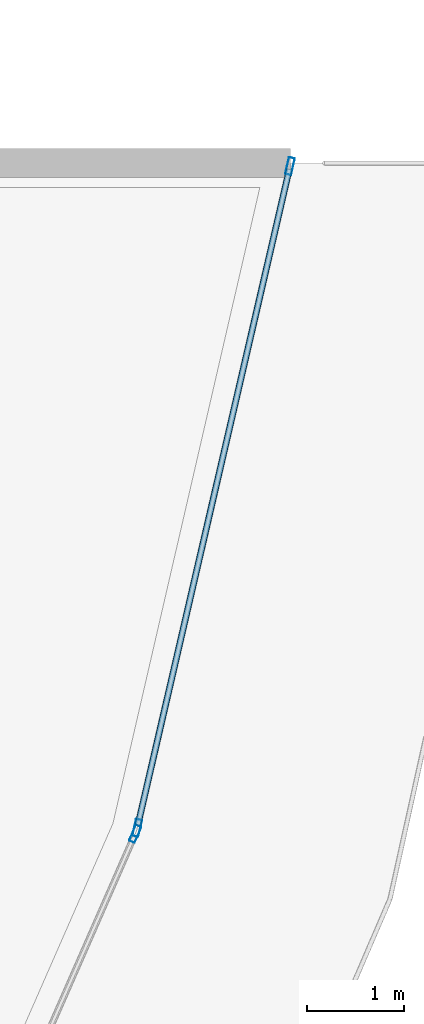
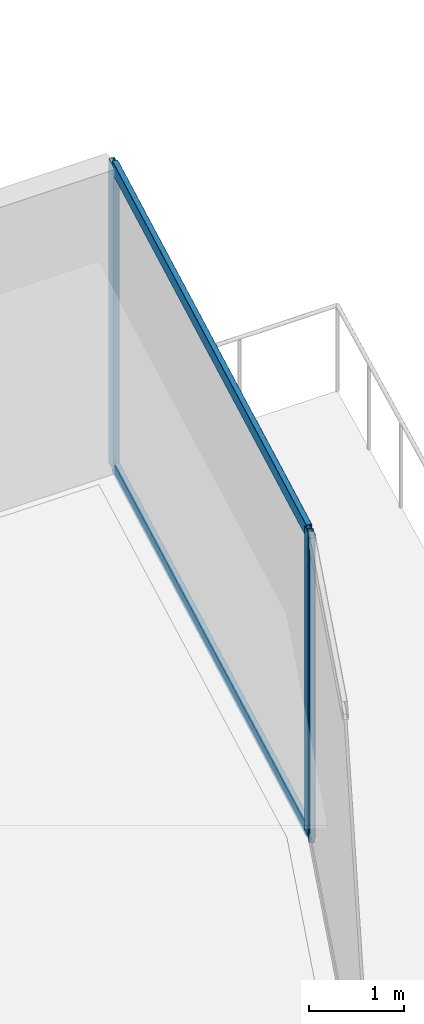
# One storey, part 26 of 45: 5 members, 2 elements without a shape of their own.
"""IFC4 building model written with IfcOpenShell, lengths in metres."""

from ifc_helpers import new_model, si_unit, direction, frame, origin, origin_2d, place, context, subcontext, project, spatial, hollow_rectangle, extrude, material, layer, layer_set, material_profile, profile_set, type_object, element, aggregate, save


model = new_model("IFC4")

# Units and contexts
model_context = context("Model", 3, precision=1e-05, world=origin(), true_north=direction((0.0, 1.0)))
body_context = subcontext(model_context, "Body", "Model", "MODEL_VIEW")
ifc_project = project(units=[si_unit("LENGTHUNIT", "METRE"), si_unit("AREAUNIT", "SQUARE_METRE"), si_unit("VOLUMEUNIT", "CUBIC_METRE"), si_unit("PLANEANGLEUNIT", "RADIAN"), si_unit("MASSUNIT", "GRAM", prefix="KILO")], contexts=[model_context])

# Site, building, storey
site_placement = place(None, origin())
site = spatial("IfcSite", under=ifc_project, at=site_placement, CompositionType="ELEMENT")
building_placement = place(site_placement, origin())
building = spatial("IfcBuilding", under=site, at=building_placement, Name="Qorvath Tower", CompositionType="ELEMENT")
storey_placement = place(building_placement, frame((0.0, 0.0, 95.39990234375)))
storey = spatial("IfcBuildingStorey", under=building, at=storey_placement, Name="L21", CompositionType="ELEMENT", Elevation=95.39990234375)

# Curtain wall, member
ifc_material_1 = material(Name="Anodised aluminium and triple low-E glass", Category="aluminium")
ifc_layer = layer(ifc_material_1, 0.179931640625)
ifc_layer_set = layer_set([ifc_layer], Name="CW-SYS-2")
curtain_wall_type = type_object("IfcCurtainWallType", Name="CW-SYS-2", PredefinedType="NOTDEFINED", material=ifc_layer_set)
curtain_wall_1_placement = place(storey_placement, origin())
curtain_wall_1 = element("IfcCurtainWall", 1, at=curtain_wall_1_placement, inside=storey, type_object=curtain_wall_type, Name="Curtain Wall CW-2 CW-T-L21-6.1", PredefinedType="NOTDEFINED")
ifc_material_2 = material(Name="Anodised aluminium 6063-T6", Category="aluminium")
ifc_material_profile_1 = material_profile(ifc_material_2, hollow_rectangle(XDim=0.06494140625, YDim=0.179931640625, WallThickness=0.00341796875, InnerFilletRadius=0.00341796875, OuterFilletRadius=0.007080078125, at=origin_2d()), Name="CWM 180x65")
ifc_profile_set_1 = profile_set([ifc_material_profile_1], Name="Anodised aluminium 6063-T6")
member_type_1 = type_object("IfcMemberType", Name="CWM-180", PredefinedType="MULLION", material=ifc_profile_set_1)
member_1_placement = place(storey_placement, frame((3.9599609375, -12.045166015625, 0.0), z_axis=(0.0, 0.0, 1.0), x_axis=(-0.915869083062, 0.401477051262, 0.0)))
member_1 = element("IfcMember", 2, at=member_1_placement, type_object=member_type_1, Name="CW-2 mullion 2", PredefinedType="MULLION", context=body_context, shape_type="SweptSolid", body=[
    extrude(hollow_rectangle(XDim=0.06494140625, YDim=0.179931640625, WallThickness=0.00341796875, InnerFilletRadius=0.00341796875, OuterFilletRadius=0.007080078125, at=origin_2d()), origin(), (0.0, 0.0, 1.0), 3.900146484375),
])
aggregate(curtain_wall_1, [member_1])

# Curtain wall, members
curtain_wall_2_placement = place(storey_placement, origin())
curtain_wall_2 = element("IfcCurtainWall", 3, at=curtain_wall_2_placement, inside=storey, type_object=curtain_wall_type, Name="Curtain Wall CW-2 CW-T-L21-7.1", PredefinedType="NOTDEFINED")
member_2_placement = place(storey_placement, frame((3.98046875, -11.983642578125, 0.0), z_axis=(0.0, 0.0, 1.0), x_axis=(-0.974350824402, 0.225034377346, 0.0)))
member_2 = element("IfcMember", 4, at=member_2_placement, type_object=member_type_1, Name="CW-2 mullion 1", PredefinedType="MULLION", context=body_context, shape_type="SweptSolid", body=[
    extrude(hollow_rectangle(XDim=0.06494140625, YDim=0.179931640625, WallThickness=0.00341796875, InnerFilletRadius=0.00341796875, OuterFilletRadius=0.007080078125, at=origin_2d()), origin(), (0.0, 0.0, 1.0), 3.900146484375),
])
member_3_placement = place(storey_placement, frame((5.5634765625, -5.12939453125, 0.0), z_axis=(0.0, 0.0, 1.0), x_axis=(-0.974350824402, 0.225034377346, 0.0)))
member_3 = element("IfcMember", 5, at=member_3_placement, type_object=member_type_1, Name="CW-2 mullion 2", PredefinedType="MULLION", context=body_context, shape_type="SweptSolid", body=[
    extrude(hollow_rectangle(XDim=0.06494140625, YDim=0.179931640625, WallThickness=0.00341796875, InnerFilletRadius=0.00341796875, OuterFilletRadius=0.007080078125, at=origin_2d()), origin(), (0.0, 0.0, 1.0), 3.900146484375),
])
ifc_material_3 = material(Name="Anodised aluminium 6063-T6", Category="aluminium")
ifc_material_profile_2 = material_profile(ifc_material_3, hollow_rectangle(XDim=0.06494140625, YDim=0.159912109375, WallThickness=0.00341796875, InnerFilletRadius=0.00341796875, OuterFilletRadius=0.007080078125, at=origin_2d()), Name="CWT 160x65")
ifc_profile_set_2 = profile_set([ifc_material_profile_2], Name="Anodised aluminium 6063-T6")
member_type_2 = type_object("IfcMemberType", Name="CWT-160", PredefinedType="USERDEFINED", material=ifc_profile_set_2)
member_4_placement = place(storey_placement, frame((3.98779296875, -11.9521484375, 0.032470703125), z_axis=(0.225023232351, 0.974353398363, 0.0), x_axis=(-0.974353398363, 0.225023232351, 0.0)))
member_4 = element("IfcMember", 6, at=member_4_placement, type_object=member_type_2, Name="CW-2 transom 1.1", ObjectType="TRANSOM", PredefinedType="USERDEFINED", context=body_context, shape_type="SweptSolid", body=[
    extrude(hollow_rectangle(XDim=0.06494140625, YDim=0.159912109375, WallThickness=0.00341796875, InnerFilletRadius=0.00341796875, OuterFilletRadius=0.007080078125, at=origin_2d()), origin(), (0.0, 0.0, 1.0), 6.9697265625),
])
member_5_placement = place(storey_placement, frame((3.98779296875, -11.9521484375, 3.86767578125), z_axis=(0.225023232351, 0.974353398363, 0.0), x_axis=(-0.974353398363, 0.225023232351, 0.0)))
member_5 = element("IfcMember", 7, at=member_5_placement, type_object=member_type_2, Name="CW-2 transom 1.2", ObjectType="TRANSOM", PredefinedType="USERDEFINED", context=body_context, shape_type="SweptSolid", body=[
    extrude(hollow_rectangle(XDim=0.06494140625, YDim=0.159912109375, WallThickness=0.00341796875, InnerFilletRadius=0.00341796875, OuterFilletRadius=0.007080078125, at=origin_2d()), origin(), (0.0, 0.0, 1.0), 6.9697265625),
])
aggregate(curtain_wall_2, [member_2, member_3, member_4, member_5])

save(model, "model.ifc")
